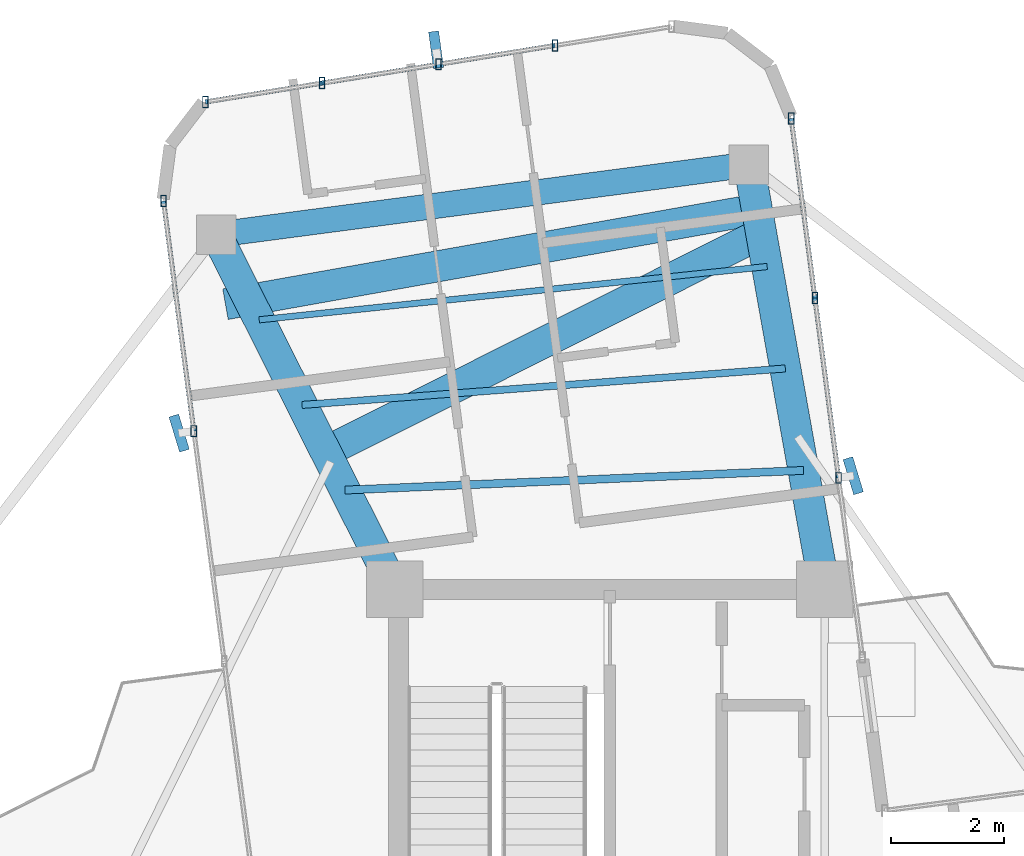
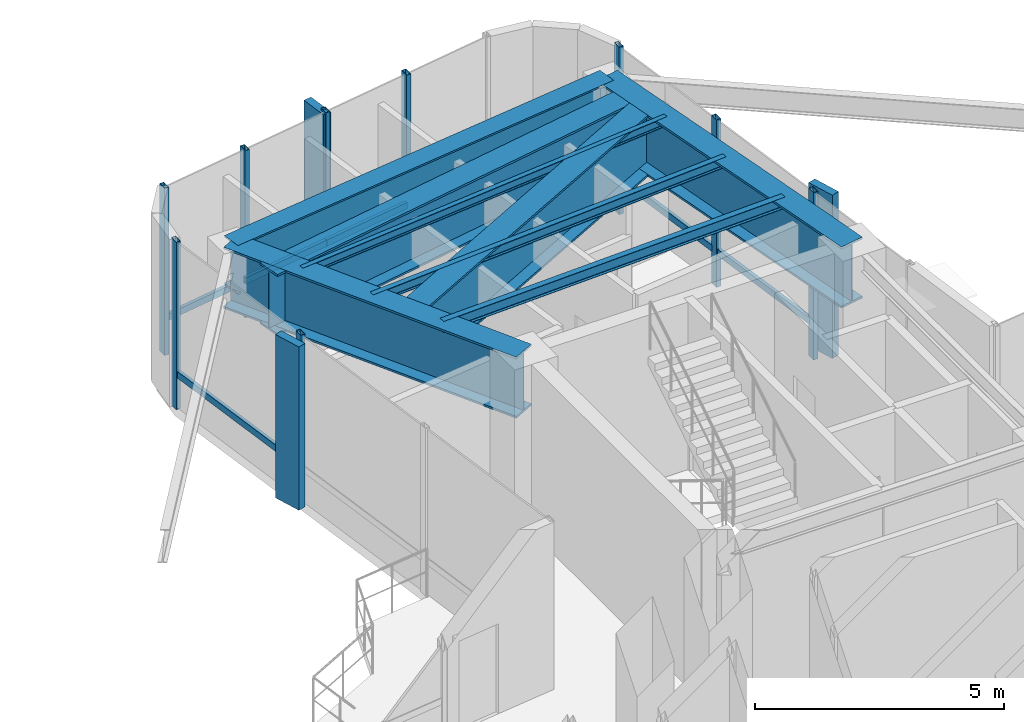
# One storey, part 10 of 18: 18 members, 8 beams, 3 elements without a shape of their own.
"""IFC4 building model written with IfcOpenShell, lengths in metres."""

from ifc_helpers import new_model, si_unit, direction, frame, origin, origin_2d, place, context, subcontext, project, spatial, rectangle, hollow_rectangle, i_section, extrude, source, transform, mapped, material, material_profile, profile_set, type_object, element, aggregate, save


model = new_model("IFC4")

# Units and contexts
model_context = context("Model", 3, precision=1e-05, world=origin(), true_north=direction((0.0, 1.0)))
body_context = subcontext(model_context, "Body", "Model", "MODEL_VIEW")
ifc_project = project(units=[si_unit("LENGTHUNIT", "METRE"), si_unit("AREAUNIT", "SQUARE_METRE"), si_unit("VOLUMEUNIT", "CUBIC_METRE"), si_unit("PLANEANGLEUNIT", "RADIAN"), si_unit("MASSUNIT", "GRAM", prefix="KILO")], contexts=[model_context])

# Site, building, storey
site_placement = place(None, origin())
site = spatial("IfcSite", under=ifc_project, at=site_placement, CompositionType="ELEMENT")
building_placement = place(site_placement, origin())
building = spatial("IfcBuilding", under=site, at=building_placement, Name="Sahyath Konkavel Grand Hotel", CompositionType="ELEMENT")
storey_placement = place(building_placement, frame((0.0, 0.0, 275.800048828125)))
storey = spatial("IfcBuildingStorey", under=building, at=storey_placement, Name="L77", CompositionType="ELEMENT", Elevation=275.800048828125)

# Beams
ifc_material_1 = material(Name="Steel E350", Category="steel")
ifc_material_profile_1 = material_profile(ifc_material_1, i_section(OverallWidth=0.139892578125, OverallDepth=0.27490234375, WebThickness=0.00634765625, FlangeThickness=0.0087890625, FilletRadius=0.012939453125, at=origin_2d()), Name="ISLB 275")
ifc_profile_set_1 = profile_set([ifc_material_profile_1], Name="Steel E350")
beam_type_1 = type_object("IfcBeamType", Name="BM-ISLB275", PredefinedType="BEAM", material=ifc_profile_set_1)
shared_shape_1 = source(origin(), body_context, "Body", "SweptSolid", [
    extrude(i_section(OverallWidth=0.139892578125, OverallDepth=0.27490234375, WebThickness=0.00634765625, FlangeThickness=0.0087890625, FilletRadius=0.012939453125, at=origin_2d()), origin(), (0.0, 0.0, 1.0), 8.11669921875),
])
beam_1_placement = place(storey_placement, frame((3.424560546875, 12.303466796875, 3.96240234375), z_axis=(-0.999084879956, -0.042771516718, 0.0), x_axis=(0.042771516718, -0.999084879956, 0.0)))
element("IfcBeam", 1, at=beam_1_placement, inside=storey, type_object=beam_type_1, Name="L77 Secondary Floor Beam N-1", PredefinedType="BEAM", context=body_context, shape_type="MappedRepresentation", body=[
    mapped(shared_shape_1, transform((0.0, 0.0, 0.0), scale=1.0)),
])
ifc_material_profile_2 = material_profile(ifc_material_1, i_section(OverallWidth=0.125, OverallDepth=0.25, WebThickness=0.0068359375, FlangeThickness=0.012451171875, FilletRadius=0.012939453125, at=origin_2d()), Name="ISMB 250")
ifc_profile_set_2 = profile_set([ifc_material_profile_2], Name="Steel E350")
beam_type_2 = type_object("IfcBeamType", Name="BM-ISMB250", PredefinedType="BEAM", material=ifc_profile_set_2)
shared_shape_2 = source(origin(), body_context, "Body", "SweptSolid", [
    extrude(i_section(OverallWidth=0.125, OverallDepth=0.25, WebThickness=0.0068359375, FlangeThickness=0.012451171875, FilletRadius=0.012939453125, at=origin_2d()), origin(), (0.0, 0.0, 1.0), 8.570068359375),
])
beam_2_placement = place(storey_placement, frame((3.102783203125, 14.1064453125, 3.974853515625), z_axis=(-0.997165854664, -0.075234688098, 0.0), x_axis=(0.075234688098, -0.997165854664, 0.0)))
element("IfcBeam", 2, at=beam_2_placement, inside=storey, type_object=beam_type_2, Name="L77 Secondary Floor Beam N-2", PredefinedType="BEAM", context=body_context, shape_type="MappedRepresentation", body=[
    mapped(shared_shape_2, transform((0.0, 0.0, 0.0), scale=1.0)),
])
ifc_material_profile_3 = material_profile(ifc_material_1, i_section(OverallWidth=0.110107421875, OverallDepth=0.22509765625, WebThickness=0.006591796875, FlangeThickness=0.01171875, FilletRadius=0.011962890625, at=origin_2d()), Name="ISMB 225")
ifc_profile_set_3 = profile_set([ifc_material_profile_3], Name="Steel E350")
beam_type_3 = type_object("IfcBeamType", Name="BM-ISMB225", PredefinedType="BEAM", material=ifc_profile_set_3)
shared_shape_3 = source(origin(), body_context, "Body", "SweptSolid", [
    extrude(i_section(OverallWidth=0.110107421875, OverallDepth=0.22509765625, WebThickness=0.006591796875, FlangeThickness=0.01171875, FilletRadius=0.011962890625, at=origin_2d()), origin(), (0.0, 0.0, 1.0), 9.03173828125),
])
beam_3_placement = place(storey_placement, frame((2.781005859375, 15.909423828125, 3.987548828125), z_axis=(-0.99454153435, -0.104341441688, 0.0), x_axis=(0.104341441688, -0.99454153435, 0.0)))
element("IfcBeam", 3, at=beam_3_placement, inside=storey, type_object=beam_type_3, Name="L77 Secondary Floor Beam N-3", PredefinedType="BEAM", context=body_context, shape_type="MappedRepresentation", body=[
    mapped(shared_shape_3, transform((0.0, 0.0, 0.0), scale=1.0)),
])
ifc_material_2 = material(Name="Steel E450", Category="steel")
ifc_material_profile_4 = material_profile(ifc_material_2, i_section(OverallWidth=0.550048828125, OverallDepth=1.5, WebThickness=0.028076171875, FlangeThickness=0.050048828125, at=origin_2d()), Name="BPG 1500x550")
ifc_profile_set_4 = profile_set([ifc_material_profile_4], Name="Steel E450")
beam_type_4 = type_object("IfcBeamType", Name="BM-BPG1500", PredefinedType="BEAM", material=ifc_profile_set_4)
shared_shape_4 = source(origin(), body_context, "Body", "SweptSolid", [
    extrude(i_section(OverallWidth=0.550048828125, OverallDepth=1.5, WebThickness=0.028076171875, FlangeThickness=0.050048828125, at=origin_2d()), origin(), (0.0, 0.0, 1.0), 7.631103515625),
])
beam_4_placement = place(storey_placement, frame((3.800048828125, 10.199951171875, 3.349853515625), z_axis=(-0.175734167088, 0.984437658015, 0.0), x_axis=(-0.984437658015, -0.175734167088, 0.0)))
element("IfcBeam", 4, at=beam_4_placement, inside=storey, type_object=beam_type_4, Name="L77 Setback Transfer Girder NA", PredefinedType="BEAM", context=body_context, shape_type="MappedRepresentation", body=[
    mapped(shared_shape_4, transform((0.0, 0.0, 0.0), scale=1.0)),
])
shared_shape_5 = source(origin(), body_context, "Body", "SweptSolid", [
    extrude(i_section(OverallWidth=0.550048828125, OverallDepth=1.5, WebThickness=0.028076171875, FlangeThickness=0.050048828125, at=origin_2d()), origin(), (0.0, 0.0, 1.0), 7.0234375),
])
beam_5_placement = place(storey_placement, frame((-3.800048828125, 10.199951171875, 3.349853515625), z_axis=(-0.449881274382, 0.893088371305, 0.0), x_axis=(-0.893088371305, -0.449881274382, 0.0)))
element("IfcBeam", 5, at=beam_5_placement, inside=storey, type_object=beam_type_4, Name="L77 Setback Transfer Girder NB", PredefinedType="BEAM", context=body_context, shape_type="MappedRepresentation", body=[
    mapped(shared_shape_5, transform((0.0, 0.0, 0.0), scale=1.0)),
])
shared_shape_6 = source(origin(), body_context, "Body", "SweptSolid", [
    extrude(i_section(OverallWidth=0.550048828125, OverallDepth=1.5, WebThickness=0.028076171875, FlangeThickness=0.050048828125, at=origin_2d()), origin(), (0.0, 0.0, 1.0), 8.615478515625),
])
beam_6_placement = place(storey_placement, frame((2.6767578125, 16.4931640625, 3.349853515625), z_axis=(-0.893927898642, -0.44821078973, 0.0), x_axis=(0.44821078973, -0.893927898642, 0.0)))
element("IfcBeam", 6, at=beam_6_placement, inside=storey, type_object=beam_type_4, Name="L77 Setback Cross Transfer Girder N-1", PredefinedType="BEAM", context=body_context, shape_type="MappedRepresentation", body=[
    mapped(shared_shape_6, transform((0.0, 0.0, 0.0), scale=1.0)),
])
shared_shape_7 = source(origin(), body_context, "Body", "SweptSolid", [
    extrude(i_section(OverallWidth=0.550048828125, OverallDepth=1.5, WebThickness=0.028076171875, FlangeThickness=0.050048828125, at=origin_2d()), origin(), (0.0, 0.0, 1.0), 9.546630859375),
])
beam_7_placement = place(storey_placement, frame((2.600341796875, 16.920654296875, 3.349853515625), z_axis=(-0.984441323242, -0.175713633771, 0.0), x_axis=(0.175713633771, -0.984441323242, 0.0)))
element("IfcBeam", 7, at=beam_7_placement, inside=storey, type_object=beam_type_4, Name="L77 Setback Cross Transfer Girder N-2", PredefinedType="BEAM", context=body_context, shape_type="MappedRepresentation", body=[
    mapped(shared_shape_7, transform((0.0, 0.0, 0.0), scale=1.0)),
])
ifc_material_profile_5 = material_profile(ifc_material_2, i_section(OverallWidth=0.449951171875, OverallDepth=1.199951171875, WebThickness=0.02197265625, FlangeThickness=0.0400390625, at=origin_2d()), Name="BPG 1200x450")
ifc_profile_set_5 = profile_set([ifc_material_profile_5], Name="Steel E450")
beam_type_5 = type_object("IfcBeamType", Name="BM-BPG1200", PredefinedType="BEAM", material=ifc_profile_set_5)
shared_shape_8 = source(origin(), body_context, "Body", "SweptSolid", [
    extrude(i_section(OverallWidth=0.449951171875, OverallDepth=1.199951171875, WebThickness=0.02197265625, FlangeThickness=0.0400390625, at=origin_2d()), origin(), (0.0, 0.0, 1.0), 9.5),
])
beam_8_placement = place(storey_placement, frame((2.458984375, 17.71240234375, 3.5), z_axis=(-0.991444933556, -0.130525643939, 0.0), x_axis=(0.130525643939, -0.991444933556, 0.0)))
element("IfcBeam", 8, at=beam_8_placement, inside=storey, type_object=beam_type_5, Name="L77 Wing Tip Edge Beam N", PredefinedType="BEAM", context=body_context, shape_type="MappedRepresentation", body=[
    mapped(shared_shape_8, transform((0.0, 0.0, 0.0), scale=1.0)),
])

# Curtain wall, members
ifc_material_3 = material(Name="Anodised Bronze Aluminium & Low-E Glazing", Category="aluminium")
curtain_wall_type = type_object("IfcCurtainWallType", Name="CW-ZONE4", PredefinedType="NOTDEFINED", material=ifc_material_3)
curtain_wall_1_placement = place(storey_placement, origin())
curtain_wall_1 = element("IfcCurtainWall", 9, at=curtain_wall_1_placement, inside=storey, type_object=curtain_wall_type, Name="L77 Unitised Curtain Wall F8", PredefinedType="NOTDEFINED")
ifc_material_4 = material(Name="Anodised Bronze Aluminium", Category="aluminium")
ifc_material_profile_6 = material_profile(ifc_material_4, hollow_rectangle(XDim=0.10009765625, YDim=0.199951171875, WallThickness=0.008056640625, at=origin_2d()), Name="RHS 200x100x8")
ifc_profile_set_6 = profile_set([ifc_material_profile_6], Name="Anodised Bronze Aluminium")
member_type_1 = type_object("IfcMemberType", Name="CW-MUL-200", PredefinedType="MULLION", material=ifc_profile_set_6)
shared_shape_9 = source(origin(), body_context, "Body", "SweptSolid", [
    extrude(hollow_rectangle(XDim=0.10009765625, YDim=0.199951171875, WallThickness=0.008056640625, at=origin_2d()), origin(), (0.0, 0.0, 1.0), 4.099853515625),
])
member_1_placement = place(storey_placement, frame((4.04541015625, 12.175537109375, 0.0), z_axis=(0.0, 0.0, 1.0), x_axis=(1.0, 0.0, 0.0)))
member_1 = element("IfcMember", 10, at=member_1_placement, type_object=member_type_1, Name="L77 Curtain Wall Mullion F8-1", PredefinedType="MULLION", context=body_context, shape_type="MappedRepresentation", body=[
    mapped(shared_shape_9, transform((0.0, 0.0, 0.0), scale=1.0)),
])
member_2_placement = place(storey_placement, frame((3.627197265625, 15.351318359375, 0.0), z_axis=(0.0, 0.0, 1.0), x_axis=(1.0, 0.0, 0.0)))
member_2 = element("IfcMember", 11, at=member_2_placement, type_object=member_type_1, Name="L77 Curtain Wall Mullion F8-2", PredefinedType="MULLION", context=body_context, shape_type="MappedRepresentation", body=[
    mapped(shared_shape_9, transform((0.0, 0.0, 0.0), scale=1.0)),
])
member_3_placement = place(storey_placement, frame((3.208984375, 18.52734375, 0.0), z_axis=(0.0, 0.0, 1.0), x_axis=(1.0, 0.0, 0.0)))
member_3 = element("IfcMember", 12, at=member_3_placement, type_object=member_type_1, Name="L77 Curtain Wall Mullion F8-3", PredefinedType="MULLION", context=body_context, shape_type="MappedRepresentation", body=[
    mapped(shared_shape_9, transform((0.0, 0.0, 0.0), scale=1.0)),
])

curtain_wall_2_placement = place(storey_placement, origin())
curtain_wall_2 = element("IfcCurtainWall", 13, at=curtain_wall_2_placement, inside=storey, type_object=curtain_wall_type, Name="L77 Unitised Curtain Wall F12", PredefinedType="NOTDEFINED")
member_4_placement = place(storey_placement, frame((-0.9716796875, 19.8203125, 0.0), z_axis=(0.0, 0.0, 1.0), x_axis=(1.0, 0.0, 0.0)))
member_4 = element("IfcMember", 14, at=member_4_placement, type_object=member_type_1, Name="L77 Curtain Wall Mullion F12-1", PredefinedType="MULLION", context=body_context, shape_type="MappedRepresentation", body=[
    mapped(shared_shape_9, transform((0.0, 0.0, 0.0), scale=1.0)),
])
member_5_placement = place(storey_placement, frame((-3.031982421875, 19.487060546875, 0.0), z_axis=(0.0, 0.0, 1.0), x_axis=(1.0, 0.0, 0.0)))
member_5 = element("IfcMember", 15, at=member_5_placement, type_object=member_type_1, Name="L77 Curtain Wall Mullion F12-2", PredefinedType="MULLION", context=body_context, shape_type="MappedRepresentation", body=[
    mapped(shared_shape_9, transform((0.0, 0.0, 0.0), scale=1.0)),
])
member_6_placement = place(storey_placement, frame((-5.09228515625, 19.15380859375, 0.0), z_axis=(0.0, 0.0, 1.0), x_axis=(1.0, 0.0, 0.0)))
member_6 = element("IfcMember", 16, at=member_6_placement, type_object=member_type_1, Name="L77 Curtain Wall Mullion F12-3", PredefinedType="MULLION", context=body_context, shape_type="MappedRepresentation", body=[
    mapped(shared_shape_9, transform((0.0, 0.0, 0.0), scale=1.0)),
])
member_7_placement = place(storey_placement, frame((-7.15283203125, 18.82080078125, 0.0), z_axis=(0.0, 0.0, 1.0), x_axis=(1.0, 0.0, 0.0)))
member_7 = element("IfcMember", 17, at=member_7_placement, type_object=member_type_1, Name="L77 Curtain Wall Mullion F12-4", PredefinedType="MULLION", context=body_context, shape_type="MappedRepresentation", body=[
    mapped(shared_shape_9, transform((0.0, 0.0, 0.0), scale=1.0)),
])

curtain_wall_3_placement = place(storey_placement, origin())
curtain_wall_3 = element("IfcCurtainWall", 18, at=curtain_wall_3_placement, inside=storey, type_object=curtain_wall_type, Name="L77 Unitised Curtain Wall F15", PredefinedType="NOTDEFINED")
member_8_placement = place(storey_placement, frame((-7.89501953125, 17.0654296875, 0.0), z_axis=(0.0, 0.0, 1.0), x_axis=(1.0, 0.0, 0.0)))
member_8 = element("IfcMember", 19, at=member_8_placement, type_object=member_type_1, Name="L77 Curtain Wall Mullion F15-0", PredefinedType="MULLION", context=body_context, shape_type="MappedRepresentation", body=[
    mapped(shared_shape_9, transform((0.0, 0.0, 0.0), scale=1.0)),
])
member_9_placement = place(storey_placement, frame((-7.359619140625, 12.997314453125, 0.0), z_axis=(0.0, 0.0, 1.0), x_axis=(1.0, 0.0, 0.0)))
member_9 = element("IfcMember", 20, at=member_9_placement, type_object=member_type_1, Name="L77 Curtain Wall Mullion F15-1", PredefinedType="MULLION", context=body_context, shape_type="MappedRepresentation", body=[
    mapped(shared_shape_9, transform((0.0, 0.0, 0.0), scale=1.0)),
])

# Member
ifc_material_5 = material(Name="Warm Buff Sandstone Cladding on Concrete C50/60", Category="masonry")
ifc_material_profile_7 = material_profile(ifc_material_5, rectangle(XDim=0.179931640625, YDim=0.64990234375, at=origin_2d()), Name="FIN 180x650")
ifc_profile_set_7 = profile_set([ifc_material_profile_7], Name="Warm Buff Sandstone Cladding on Concrete C50/60")
member_type_2 = type_object("IfcMemberType", Name="FIN-SANDSTONE-650", PredefinedType="MULLION", material=ifc_profile_set_7)
shared_shape_10 = source(origin(), body_context, "Body", "SweptSolid", [
    extrude(rectangle(XDim=0.179931640625, YDim=0.64990234375, at=origin_2d()), origin(), (0.0, 0.0, 1.0), 4.0),
])
member_10_placement = place(storey_placement, frame((4.30322265625, 12.20947265625, 0.050048828125), z_axis=(0.0, 0.0, 1.0), x_axis=(0.956610402488, 0.291370104596, 0.0)))
member_10 = element("IfcMember", 21, at=member_10_placement, type_object=member_type_2, Name="L77 Sandstone Vertical Solar Fin FIN F8-1", PredefinedType="MULLION", context=body_context, shape_type="MappedRepresentation", body=[
    mapped(shared_shape_10, transform((0.0, 0.0, 0.0), scale=1.0)),
])

member_11_placement = place(storey_placement, frame((-3.073486328125, 19.74365234375, 0.050048828125), z_axis=(0.0, 0.0, 1.0), x_axis=(0.991076498214, 0.133294316036, 0.0)))
member_11 = element("IfcMember", 22, at=member_11_placement, type_object=member_type_2, Name="L77 Sandstone Vertical Solar Fin FIN F12-2", PredefinedType="MULLION", context=body_context, shape_type="MappedRepresentation", body=[
    mapped(shared_shape_10, transform((0.0, 0.0, 0.0), scale=1.0)),
])

member_12_placement = place(storey_placement, frame((-7.6171875, 12.96337890625, 0.050048828125), z_axis=(0.0, 0.0, 1.0), x_axis=(0.956610402488, 0.291370104596, 0.0)))
member_12 = element("IfcMember", 23, at=member_12_placement, type_object=member_type_2, Name="L77 Sandstone Vertical Solar Fin FIN F15-1", PredefinedType="MULLION", context=body_context, shape_type="MappedRepresentation", body=[
    mapped(shared_shape_10, transform((0.0, 0.0, 0.0), scale=1.0)),
])

ifc_material_profile_8 = material_profile(ifc_material_4, hollow_rectangle(XDim=0.080078125, YDim=0.159912109375, WallThickness=0.006103515625, at=origin_2d()), Name="RHS 160x80x6")
ifc_profile_set_8 = profile_set([ifc_material_profile_8], Name="Anodised Bronze Aluminium")
member_type_3 = type_object("IfcMemberType", Name="CW-TRN-160", PredefinedType="USERDEFINED", material=ifc_profile_set_8)
shared_shape_11 = source(origin(), body_context, "Body", "SweptSolid", [
    extrude(hollow_rectangle(XDim=0.080078125, YDim=0.159912109375, WallThickness=0.006103515625, at=origin_2d()), origin(), (0.0, 0.0, 1.0), 3.203369140625),
])
member_13_placement = place(storey_placement, frame((3.627197265625, 15.351318359375, 0.849853515625), z_axis=(-0.130551112835, 0.991441580194, 0.0), x_axis=(-0.991441580194, -0.130551112835, 0.0)))
member_13 = element("IfcMember", 24, at=member_13_placement, type_object=member_type_3, Name="L77 Curtain Wall Transom F8-2-spandrel", ObjectType="TRANSOM", PredefinedType="USERDEFINED", context=body_context, shape_type="MappedRepresentation", body=[
    mapped(shared_shape_11, transform((0.0, 0.0, 0.0), scale=1.0)),
])

shared_shape_12 = source(origin(), body_context, "Body", "SweptSolid", [
    extrude(hollow_rectangle(XDim=0.080078125, YDim=0.159912109375, WallThickness=0.006103515625, at=origin_2d()), origin(), (0.0, 0.0, 1.0), 3.203125),
])
member_14_placement = place(storey_placement, frame((4.04541015625, 12.175537109375, 0.849853515625), z_axis=(-0.13056097798, 0.991440281121, 0.0), x_axis=(-0.991440281121, -0.13056097798, 0.0)))
member_14 = element("IfcMember", 25, at=member_14_placement, type_object=member_type_3, Name="L77 Curtain Wall Transom F8-1-spandrel", ObjectType="TRANSOM", PredefinedType="USERDEFINED", context=body_context, shape_type="MappedRepresentation", body=[
    mapped(shared_shape_12, transform((0.0, 0.0, 0.0), scale=1.0)),
])

aggregate(curtain_wall_1, [member_1, member_10, member_2, member_3, member_14, member_13])

shared_shape_13 = source(origin(), body_context, "Body", "SweptSolid", [
    extrude(hollow_rectangle(XDim=0.080078125, YDim=0.159912109375, WallThickness=0.006103515625, at=origin_2d()), origin(), (0.0, 0.0, 1.0), 2.08740234375),
])
member_15_placement = place(storey_placement, frame((-5.09228515625, 19.15380859375, 0.849853515625), z_axis=(-0.98719124923, -0.159541334591, 0.0), x_axis=(0.159541334591, -0.98719124923, 0.0)))
member_15 = element("IfcMember", 26, at=member_15_placement, type_object=member_type_3, Name="L77 Curtain Wall Transom F12-3-spandrel", ObjectType="TRANSOM", PredefinedType="USERDEFINED", context=body_context, shape_type="MappedRepresentation", body=[
    mapped(shared_shape_13, transform((0.0, 0.0, 0.0), scale=1.0)),
])

shared_shape_14 = source(origin(), body_context, "Body", "SweptSolid", [
    extrude(hollow_rectangle(XDim=0.080078125, YDim=0.159912109375, WallThickness=0.006103515625, at=origin_2d()), origin(), (0.0, 0.0, 1.0), 2.087158203125),
])
member_16_placement = place(storey_placement, frame((-0.9716796875, 19.8203125, 0.849853515625), z_axis=(-0.98716983924, -0.159673756436, 0.0), x_axis=(0.159673756436, -0.98716983924, 0.0)))
member_16 = element("IfcMember", 27, at=member_16_placement, type_object=member_type_3, Name="L77 Curtain Wall Transom F12-1-spandrel", ObjectType="TRANSOM", PredefinedType="USERDEFINED", context=body_context, shape_type="MappedRepresentation", body=[
    mapped(shared_shape_14, transform((0.0, 0.0, 0.0), scale=1.0)),
])

member_17_placement = place(storey_placement, frame((-3.031982421875, 19.487060546875, 0.849853515625), z_axis=(-0.98716983924, -0.159673756436, 0.0), x_axis=(0.159673756436, -0.98716983924, 0.0)))
member_17 = element("IfcMember", 28, at=member_17_placement, type_object=member_type_3, Name="L77 Curtain Wall Transom F12-2-spandrel", ObjectType="TRANSOM", PredefinedType="USERDEFINED", context=body_context, shape_type="MappedRepresentation", body=[
    mapped(shared_shape_14, transform((0.0, 0.0, 0.0), scale=1.0)),
])

aggregate(curtain_wall_2, [member_4, member_5, member_11, member_6, member_7, member_16, member_17, member_15])

shared_shape_15 = source(origin(), body_context, "Body", "SweptSolid", [
    extrude(hollow_rectangle(XDim=0.080078125, YDim=0.159912109375, WallThickness=0.006103515625, at=origin_2d()), origin(), (0.0, 0.0, 1.0), 4.103271484375),
])
member_18_placement = place(storey_placement, frame((-7.89501953125, 17.0654296875, 0.849853515625), z_axis=(0.130483756275, -0.991450447248, 0.0), x_axis=(0.991450447248, 0.130483756275, 0.0)))
member_18 = element("IfcMember", 29, at=member_18_placement, type_object=member_type_3, Name="L77 Curtain Wall Transom F15-0-spandrel", ObjectType="TRANSOM", PredefinedType="USERDEFINED", context=body_context, shape_type="MappedRepresentation", body=[
    mapped(shared_shape_15, transform((0.0, 0.0, 0.0), scale=1.0)),
])

aggregate(curtain_wall_3, [member_8, member_9, member_12, member_18])

save(model, "model.ifc")
